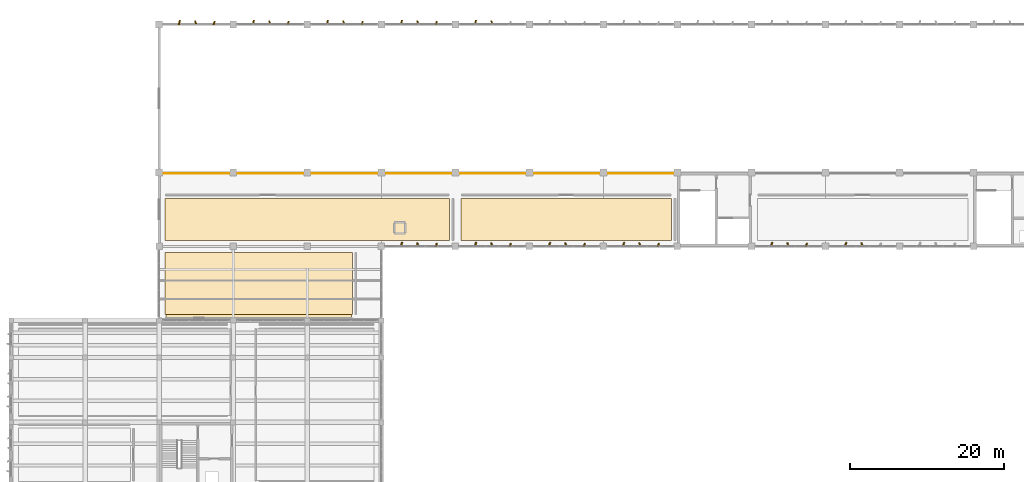
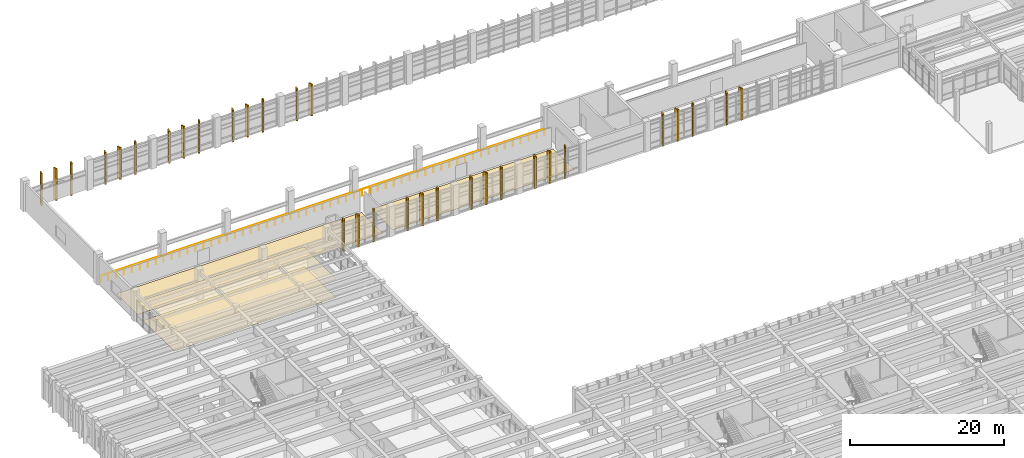
# One storey, part 81 of 86: 35 coverings, 1 railing.
"""IFC4 building model written with IfcOpenShell, lengths in metres."""

from ifc_helpers import new_model, si_unit, direction, frame, origin, origin_2d, place, context, subcontext, project, spatial, polyline, circle, outline, extrude, material, layer, layer_set, type_object, element, save


model = new_model("IFC4")

# Units and contexts
model_context = context("Model", 3, precision=1e-05, world=origin(), true_north=direction((0.0, 1.0)))
body_context = subcontext(model_context, "Body", "Model", "MODEL_VIEW")
ifc_project = project(units=[si_unit("LENGTHUNIT", "METRE"), si_unit("AREAUNIT", "SQUARE_METRE"), si_unit("VOLUMEUNIT", "CUBIC_METRE"), si_unit("PLANEANGLEUNIT", "RADIAN"), si_unit("MASSUNIT", "GRAM", prefix="KILO")], contexts=[model_context])

# Site, building, storey
site_placement = place(None, origin())
site = spatial("IfcSite", under=ifc_project, at=site_placement, CompositionType="ELEMENT")
building_placement = place(site_placement, origin())
building = spatial("IfcBuilding", under=site, at=building_placement, Name="Kolvemor Railside Polytechnic", CompositionType="ELEMENT")
storey_placement = place(building_placement, frame((0.0, 0.0, 5.39990234375)))
storey = spatial("IfcBuildingStorey", under=building, at=storey_placement, Name="L01", CompositionType="ELEMENT", Elevation=5.39990234375)

# Coverings
ifc_material_1 = material(Name="Perforated acoustic mineral-fibre and timber-slat ceiling", Category="wood")
ifc_layer_1 = layer(ifc_material_1, 0.02490234375, Name="COV-CEIL-1")
ifc_layer_set_1 = layer_set([ifc_layer_1], Name="Perforated acoustic mineral-fibre and timber-slat ceiling")
covering_type_1 = type_object("IfcCoveringType", Name="COV-CEIL-1", PredefinedType="CEILING", material=ifc_layer_set_1)
covering_1_placement = place(storey_placement, frame((0.0, 0.0, 3.235107421875)))
element("IfcCovering", 1, at=covering_1_placement, inside=storey, type_object=covering_type_1, Name="Geotechnical Mechanics Laboratory Acoustic Ceiling", PredefinedType="CEILING", context=body_context, shape_type="SweptSolid", body=[
    extrude(outline(polyline([(20.080078125, 81.919921875), (44.1201171875, 81.919921875), (44.1201171875, 90.449951171875), (20.080078125, 90.449951171875), (20.080078125, 81.919921875)])), origin(), (0.0, 0.0, 1.0), 0.02490234375),
])
ifc_material_2 = material(Name="Champagne-bronze PVDF-anodised marine aluminium 5052-H32", Category="aluminium")
ifc_layer_2 = layer(ifc_material_2, 0.179931640625, Name="COV-FIN-CHAMP")
ifc_layer_set_2 = layer_set([ifc_layer_2], Name="Champagne-bronze PVDF-anodised marine aluminium 5052-H32")
covering_type_2 = type_object("IfcCoveringType", Name="COV-FIN-CHAMP", PredefinedType="CLADDING", material=ifc_layer_set_2)
covering_2_placement = place(storey_placement, frame((0.0, 0.0, -0.27978515625)))
element("IfcCovering", 2, at=covering_2_placement, inside=storey, type_object=covering_type_2, Name="Pleated Solar Fin L01-0013", PredefinedType="CLADDING", context=body_context, shape_type="SweptSolid", body=[
    extrude(outline(polyline([(50.43505859375, 91.1650390625), (50.6650390625, 91.1650390625), (50.77001953125, 91.764892578125), (50.610107421875, 91.764892578125), (50.43505859375, 91.1650390625)])), origin(), (0.0, 0.0, 1.0), 5.079833984375),
])
covering_3_placement = place(storey_placement, frame((0.0, 0.0, -0.27978515625)))
element("IfcCovering", 3, at=covering_3_placement, inside=storey, type_object=covering_type_2, Name="Pleated Solar Fin L01-0014", PredefinedType="CLADDING", context=body_context, shape_type="SweptSolid", body=[
    extrude(outline(polyline([(52.68505859375, 91.1650390625), (52.9150390625, 91.1650390625), (52.739990234375, 91.68505859375), (52.580078125, 91.68505859375), (52.68505859375, 91.1650390625)])), origin(), (0.0, 0.0, 1.0), 5.079833984375),
])
covering_4_placement = place(storey_placement, frame((0.0, 0.0, -0.27978515625)))
element("IfcCovering", 4, at=covering_4_placement, inside=storey, type_object=covering_type_2, Name="Pleated Solar Fin L01-0015", PredefinedType="CLADDING", context=body_context, shape_type="SweptSolid", body=[
    extrude(outline(polyline([(54.93505859375, 91.1650390625), (55.1650390625, 91.1650390625), (55.27001953125, 91.60498046875), (55.110107421875, 91.60498046875), (54.93505859375, 91.1650390625)])), origin(), (0.0, 0.0, 1.0), 5.079833984375),
])
covering_5_placement = place(storey_placement, frame((0.0, 0.0, -0.27978515625)))
element("IfcCovering", 5, at=covering_5_placement, inside=storey, type_object=covering_type_2, Name="Pleated Solar Fin L01-0019", PredefinedType="CLADDING", context=body_context, shape_type="SweptSolid", body=[
    extrude(outline(polyline([(60.034912109375, 91.1650390625), (60.264892578125, 91.1650390625), (60.3701171875, 91.764892578125), (60.2099609375, 91.764892578125), (60.034912109375, 91.1650390625)])), origin(), (0.0, 0.0, 1.0), 5.079833984375),
])
covering_6_placement = place(storey_placement, frame((0.0, 0.0, -0.27978515625)))
element("IfcCovering", 6, at=covering_6_placement, inside=storey, type_object=covering_type_2, Name="Pleated Solar Fin L01-0020", PredefinedType="CLADDING", context=body_context, shape_type="SweptSolid", body=[
    extrude(outline(polyline([(62.284912109375, 91.1650390625), (62.514892578125, 91.1650390625), (62.340087890625, 91.68505859375), (62.179931640625, 91.68505859375), (62.284912109375, 91.1650390625)])), origin(), (0.0, 0.0, 1.0), 5.079833984375),
])
covering_7_placement = place(storey_placement, frame((0.0, 0.0, -0.27978515625)))
element("IfcCovering", 7, at=covering_7_placement, inside=storey, type_object=covering_type_2, Name="Pleated Solar Fin L01-0021", PredefinedType="CLADDING", context=body_context, shape_type="SweptSolid", body=[
    extrude(outline(polyline([(64.534912109375, 91.1650390625), (64.764892578125, 91.1650390625), (64.8701171875, 91.60498046875), (64.7099609375, 91.60498046875), (64.534912109375, 91.1650390625)])), origin(), (0.0, 0.0, 1.0), 5.079833984375),
])
covering_8_placement = place(storey_placement, frame((0.0, 0.0, -0.27978515625)))
element("IfcCovering", 8, at=covering_8_placement, inside=storey, type_object=covering_type_2, Name="Pleated Solar Fin L01-0025", PredefinedType="CLADDING", context=body_context, shape_type="SweptSolid", body=[
    extrude(outline(polyline([(69.635009765625, 91.1650390625), (69.864990234375, 91.1650390625), (69.969970703125, 91.764892578125), (69.81005859375, 91.764892578125), (69.635009765625, 91.1650390625)])), origin(), (0.0, 0.0, 1.0), 5.079833984375),
])
covering_9_placement = place(storey_placement, frame((0.0, 0.0, -0.27978515625)))
element("IfcCovering", 9, at=covering_9_placement, inside=storey, type_object=covering_type_2, Name="Pleated Solar Fin L01-0026", PredefinedType="CLADDING", context=body_context, shape_type="SweptSolid", body=[
    extrude(outline(polyline([(71.885009765625, 91.1650390625), (72.114990234375, 91.1650390625), (71.93994140625, 91.68505859375), (71.780029296875, 91.68505859375), (71.885009765625, 91.1650390625)])), origin(), (0.0, 0.0, 1.0), 5.079833984375),
])
covering_10_placement = place(storey_placement, frame((0.0, 0.0, -0.27978515625)))
element("IfcCovering", 10, at=covering_10_placement, inside=storey, type_object=covering_type_2, Name="Pleated Solar Fin L01-0027", PredefinedType="CLADDING", context=body_context, shape_type="SweptSolid", body=[
    extrude(outline(polyline([(74.135009765625, 91.1650390625), (74.364990234375, 91.1650390625), (74.469970703125, 91.60498046875), (74.31005859375, 91.60498046875), (74.135009765625, 91.1650390625)])), origin(), (0.0, 0.0, 1.0), 5.079833984375),
])
covering_11_placement = place(storey_placement, frame((0.0, 0.0, -0.27978515625)))
element("IfcCovering", 11, at=covering_11_placement, inside=storey, type_object=covering_type_2, Name="Pleated Solar Fin L01-0031", PredefinedType="CLADDING", context=body_context, shape_type="SweptSolid", body=[
    extrude(outline(polyline([(79.235107421875, 91.1650390625), (79.465087890625, 91.1650390625), (79.570068359375, 91.764892578125), (79.409912109375, 91.764892578125), (79.235107421875, 91.1650390625)])), origin(), (0.0, 0.0, 1.0), 5.079833984375),
])
covering_12_placement = place(storey_placement, frame((0.0, 0.0, -0.27978515625)))
element("IfcCovering", 12, at=covering_12_placement, inside=storey, type_object=covering_type_2, Name="Pleated Solar Fin L01-0032", PredefinedType="CLADDING", context=body_context, shape_type="SweptSolid", body=[
    extrude(outline(polyline([(81.485107421875, 91.1650390625), (81.715087890625, 91.1650390625), (81.5400390625, 91.68505859375), (81.3798828125, 91.68505859375), (81.485107421875, 91.1650390625)])), origin(), (0.0, 0.0, 1.0), 5.079833984375),
])
covering_13_placement = place(storey_placement, frame((0.0, 0.0, -0.27978515625)))
element("IfcCovering", 13, at=covering_13_placement, inside=storey, type_object=covering_type_2, Name="Pleated Solar Fin L01-0033", PredefinedType="CLADDING", context=body_context, shape_type="SweptSolid", body=[
    extrude(outline(polyline([(83.735107421875, 91.1650390625), (83.965087890625, 91.1650390625), (84.070068359375, 91.60498046875), (83.909912109375, 91.60498046875), (83.735107421875, 91.1650390625)])), origin(), (0.0, 0.0, 1.0), 5.079833984375),
])
covering_14_placement = place(storey_placement, frame((0.0, 0.0, -0.27978515625)))
element("IfcCovering", 14, at=covering_14_placement, inside=storey, type_object=covering_type_2, Name="Pleated Solar Fin L01-0040", PredefinedType="CLADDING", context=body_context, shape_type="SweptSolid", body=[
    extrude(outline(polyline([(98.43505859375, 91.1650390625), (98.6650390625, 91.1650390625), (98.77001953125, 91.764892578125), (98.610107421875, 91.764892578125), (98.43505859375, 91.1650390625)])), origin(), (0.0, 0.0, 1.0), 5.079833984375),
])
covering_15_placement = place(storey_placement, frame((0.0, 0.0, -0.27978515625)))
element("IfcCovering", 15, at=covering_15_placement, inside=storey, type_object=covering_type_2, Name="Pleated Solar Fin L01-0041", PredefinedType="CLADDING", context=body_context, shape_type="SweptSolid", body=[
    extrude(outline(polyline([(100.68505859375, 91.1650390625), (100.9150390625, 91.1650390625), (100.739990234375, 91.68505859375), (100.580078125, 91.68505859375), (100.68505859375, 91.1650390625)])), origin(), (0.0, 0.0, 1.0), 5.079833984375),
])
covering_16_placement = place(storey_placement, frame((0.0, 0.0, -0.27978515625)))
element("IfcCovering", 16, at=covering_16_placement, inside=storey, type_object=covering_type_2, Name="Pleated Solar Fin L01-0042", PredefinedType="CLADDING", context=body_context, shape_type="SweptSolid", body=[
    extrude(outline(polyline([(102.93505859375, 91.1650390625), (103.1650390625, 91.1650390625), (103.27001953125, 91.60498046875), (103.110107421875, 91.60498046875), (102.93505859375, 91.1650390625)])), origin(), (0.0, 0.0, 1.0), 5.079833984375),
])
covering_17_placement = place(storey_placement, frame((0.0, 0.0, -0.27978515625)))
element("IfcCovering", 17, at=covering_17_placement, inside=storey, type_object=covering_type_2, Name="Pleated Solar Fin L01-0046", PredefinedType="CLADDING", context=body_context, shape_type="SweptSolid", body=[
    extrude(outline(polyline([(108.034912109375, 91.1650390625), (108.264892578125, 91.1650390625), (108.3701171875, 91.764892578125), (108.2099609375, 91.764892578125), (108.034912109375, 91.1650390625)])), origin(), (0.0, 0.0, 1.0), 5.079833984375),
])
covering_18_placement = place(storey_placement, frame((0.0, 0.0, -0.27978515625)))
element("IfcCovering", 18, at=covering_18_placement, inside=storey, type_object=covering_type_2, Name="Pleated Solar Fin L01-0047", PredefinedType="CLADDING", context=body_context, shape_type="SweptSolid", body=[
    extrude(outline(polyline([(110.284912109375, 91.1650390625), (110.514892578125, 91.1650390625), (110.340087890625, 91.68505859375), (110.179931640625, 91.68505859375), (110.284912109375, 91.1650390625)])), origin(), (0.0, 0.0, 1.0), 5.079833984375),
])
ifc_material_3 = material(Name="Sea-mist PVDF-anodised marine aluminium 5052-H32", Category="aluminium")
ifc_layer_3 = layer(ifc_material_3, 0.159912109375, Name="COV-FIN-MIST")
ifc_layer_set_3 = layer_set([ifc_layer_3], Name="Sea-mist PVDF-anodised marine aluminium 5052-H32")
covering_type_3 = type_object("IfcCoveringType", Name="COV-FIN-MIST", PredefinedType="CLADDING", material=ifc_layer_set_3)
covering_19_placement = place(storey_placement, frame((0.0, 0.0, -0.27978515625)))
element("IfcCovering", 19, at=covering_19_placement, inside=storey, type_object=covering_type_3, Name="Pleated Solar Fin L01-0001", PredefinedType="CLADDING", context=body_context, shape_type="SweptSolid", body=[
    extrude(outline(polyline([(21.635009765625, 119.965087890625), (21.864990234375, 119.965087890625), (21.969970703125, 120.56494140625), (21.81005859375, 120.56494140625), (21.635009765625, 119.965087890625)])), origin(), (0.0, 0.0, 1.0), 5.079833984375),
])
covering_20_placement = place(storey_placement, frame((0.0, 0.0, -0.27978515625)))
element("IfcCovering", 20, at=covering_20_placement, inside=storey, type_object=covering_type_3, Name="Pleated Solar Fin L01-0002", PredefinedType="CLADDING", context=body_context, shape_type="SweptSolid", body=[
    extrude(outline(polyline([(23.885009765625, 119.965087890625), (24.114990234375, 119.965087890625), (23.93994140625, 120.485107421875), (23.780029296875, 120.485107421875), (23.885009765625, 119.965087890625)])), origin(), (0.0, 0.0, 1.0), 5.079833984375),
])
covering_21_placement = place(storey_placement, frame((0.0, 0.0, -0.27978515625)))
element("IfcCovering", 21, at=covering_21_placement, inside=storey, type_object=covering_type_3, Name="Pleated Solar Fin L01-0003", PredefinedType="CLADDING", context=body_context, shape_type="SweptSolid", body=[
    extrude(outline(polyline([(26.135009765625, 119.965087890625), (26.364990234375, 119.965087890625), (26.469970703125, 120.405029296875), (26.31005859375, 120.405029296875), (26.135009765625, 119.965087890625)])), origin(), (0.0, 0.0, 1.0), 5.079833984375),
])
covering_22_placement = place(storey_placement, frame((0.0, 0.0, -0.27978515625)))
element("IfcCovering", 22, at=covering_22_placement, inside=storey, type_object=covering_type_3, Name="Pleated Solar Fin L01-0004", PredefinedType="CLADDING", context=body_context, shape_type="SweptSolid", body=[
    extrude(outline(polyline([(31.235107421875, 119.965087890625), (31.465087890625, 119.965087890625), (31.570068359375, 120.56494140625), (31.409912109375, 120.56494140625), (31.235107421875, 119.965087890625)])), origin(), (0.0, 0.0, 1.0), 5.079833984375),
])
covering_23_placement = place(storey_placement, frame((0.0, 0.0, -0.27978515625)))
element("IfcCovering", 23, at=covering_23_placement, inside=storey, type_object=covering_type_3, Name="Pleated Solar Fin L01-0005", PredefinedType="CLADDING", context=body_context, shape_type="SweptSolid", body=[
    extrude(outline(polyline([(33.485107421875, 119.965087890625), (33.715087890625, 119.965087890625), (33.5400390625, 120.485107421875), (33.3798828125, 120.485107421875), (33.485107421875, 119.965087890625)])), origin(), (0.0, 0.0, 1.0), 5.079833984375),
])
covering_24_placement = place(storey_placement, frame((0.0, 0.0, -0.27978515625)))
element("IfcCovering", 24, at=covering_24_placement, inside=storey, type_object=covering_type_3, Name="Pleated Solar Fin L01-0006", PredefinedType="CLADDING", context=body_context, shape_type="SweptSolid", body=[
    extrude(outline(polyline([(35.735107421875, 119.965087890625), (35.965087890625, 119.965087890625), (36.070068359375, 120.405029296875), (35.909912109375, 120.405029296875), (35.735107421875, 119.965087890625)])), origin(), (0.0, 0.0, 1.0), 5.079833984375),
])
covering_25_placement = place(storey_placement, frame((0.0, 0.0, -0.27978515625)))
element("IfcCovering", 25, at=covering_25_placement, inside=storey, type_object=covering_type_3, Name="Pleated Solar Fin L01-0007", PredefinedType="CLADDING", context=body_context, shape_type="SweptSolid", body=[
    extrude(outline(polyline([(40.8349609375, 119.965087890625), (41.06494140625, 119.965087890625), (41.169921875, 120.56494140625), (41.010009765625, 120.56494140625), (40.8349609375, 119.965087890625)])), origin(), (0.0, 0.0, 1.0), 5.079833984375),
])
covering_26_placement = place(storey_placement, frame((0.0, 0.0, -0.27978515625)))
element("IfcCovering", 26, at=covering_26_placement, inside=storey, type_object=covering_type_3, Name="Pleated Solar Fin L01-0008", PredefinedType="CLADDING", context=body_context, shape_type="SweptSolid", body=[
    extrude(outline(polyline([(43.0849609375, 119.965087890625), (43.31494140625, 119.965087890625), (43.139892578125, 120.485107421875), (42.97998046875, 120.485107421875), (43.0849609375, 119.965087890625)])), origin(), (0.0, 0.0, 1.0), 5.079833984375),
])
covering_27_placement = place(storey_placement, frame((0.0, 0.0, -0.27978515625)))
element("IfcCovering", 27, at=covering_27_placement, inside=storey, type_object=covering_type_3, Name="Pleated Solar Fin L01-0009", PredefinedType="CLADDING", context=body_context, shape_type="SweptSolid", body=[
    extrude(outline(polyline([(45.3349609375, 119.965087890625), (45.56494140625, 119.965087890625), (45.669921875, 120.405029296875), (45.510009765625, 120.405029296875), (45.3349609375, 119.965087890625)])), origin(), (0.0, 0.0, 1.0), 5.079833984375),
])
covering_28_placement = place(storey_placement, frame((0.0, 0.0, -0.27978515625)))
element("IfcCovering", 28, at=covering_28_placement, inside=storey, type_object=covering_type_3, Name="Pleated Solar Fin L01-0010", PredefinedType="CLADDING", context=body_context, shape_type="SweptSolid", body=[
    extrude(outline(polyline([(50.43505859375, 119.965087890625), (50.6650390625, 119.965087890625), (50.77001953125, 120.56494140625), (50.610107421875, 120.56494140625), (50.43505859375, 119.965087890625)])), origin(), (0.0, 0.0, 1.0), 5.079833984375),
])
covering_29_placement = place(storey_placement, frame((0.0, 0.0, -0.27978515625)))
element("IfcCovering", 29, at=covering_29_placement, inside=storey, type_object=covering_type_3, Name="Pleated Solar Fin L01-0011", PredefinedType="CLADDING", context=body_context, shape_type="SweptSolid", body=[
    extrude(outline(polyline([(52.68505859375, 119.965087890625), (52.9150390625, 119.965087890625), (52.739990234375, 120.485107421875), (52.580078125, 120.485107421875), (52.68505859375, 119.965087890625)])), origin(), (0.0, 0.0, 1.0), 5.079833984375),
])
covering_30_placement = place(storey_placement, frame((0.0, 0.0, -0.27978515625)))
element("IfcCovering", 30, at=covering_30_placement, inside=storey, type_object=covering_type_3, Name="Pleated Solar Fin L01-0012", PredefinedType="CLADDING", context=body_context, shape_type="SweptSolid", body=[
    extrude(outline(polyline([(54.93505859375, 119.965087890625), (55.1650390625, 119.965087890625), (55.27001953125, 120.405029296875), (55.110107421875, 120.405029296875), (54.93505859375, 119.965087890625)])), origin(), (0.0, 0.0, 1.0), 5.079833984375),
])
covering_31_placement = place(storey_placement, frame((0.0, 0.0, -0.27978515625)))
element("IfcCovering", 31, at=covering_31_placement, inside=storey, type_object=covering_type_3, Name="Pleated Solar Fin L01-0016", PredefinedType="CLADDING", context=body_context, shape_type="SweptSolid", body=[
    extrude(outline(polyline([(60.034912109375, 119.965087890625), (60.264892578125, 119.965087890625), (60.3701171875, 120.56494140625), (60.2099609375, 120.56494140625), (60.034912109375, 119.965087890625)])), origin(), (0.0, 0.0, 1.0), 5.079833984375),
])
covering_32_placement = place(storey_placement, frame((0.0, 0.0, -0.27978515625)))
element("IfcCovering", 32, at=covering_32_placement, inside=storey, type_object=covering_type_3, Name="Pleated Solar Fin L01-0017", PredefinedType="CLADDING", context=body_context, shape_type="SweptSolid", body=[
    extrude(outline(polyline([(62.284912109375, 119.965087890625), (62.514892578125, 119.965087890625), (62.340087890625, 120.485107421875), (62.179931640625, 120.485107421875), (62.284912109375, 119.965087890625)])), origin(), (0.0, 0.0, 1.0), 5.079833984375),
])
ifc_material_4 = material(Name="Polished coral-aggregate terrazzo and laboratory epoxy flooring")
ifc_layer_4 = layer(ifc_material_4, 0.02001953125, Name="COV-FLR-1")
ifc_layer_set_4 = layer_set([ifc_layer_4], Name="Polished coral-aggregate terrazzo and laboratory epoxy flooring")
covering_type_4 = type_object("IfcCoveringType", Name="COV-FLR-1", PredefinedType="FLOORING", material=ifc_layer_set_4)
covering_33_placement = place(storey_placement, origin())
element("IfcCovering", 33, at=covering_33_placement, inside=storey, type_object=covering_type_4, Name="Additive Manufacturing Engineering Workshop Floor Finish", PredefinedType="FLOORING", context=body_context, shape_type="SweptSolid", body=[
    extrude(outline(polyline([(19.949951171875, 91.949951171875), (56.85009765625, 91.949951171875), (56.85009765625, 97.449951171875), (19.949951171875, 97.449951171875), (19.949951171875, 91.949951171875)])), origin(), (0.0, 0.0, 1.0), 0.02001953125),
])
covering_34_placement = place(storey_placement, origin())
element("IfcCovering", 34, at=covering_34_placement, inside=storey, type_object=covering_type_4, Name="Geotechnical Mechanics Laboratory Floor Finish", PredefinedType="FLOORING", context=body_context, shape_type="SweptSolid", body=[
    extrude(outline(polyline([(19.949951171875, 82.35009765625), (44.25, 82.35009765625), (44.25, 90.449951171875), (19.949951171875, 90.449951171875), (19.949951171875, 82.35009765625)])), origin(), (0.0, 0.0, 1.0), 0.02001953125),
])
ifc_material_5 = material(Name="Polished coral-aggregate terrazzo and laboratory epoxy flooring")
ifc_layer_5 = layer(ifc_material_5, 0.02490234375, Name="COV-FLR-2")
ifc_layer_set_5 = layer_set([ifc_layer_5], Name="Polished coral-aggregate terrazzo and laboratory epoxy flooring")
covering_type_5 = type_object("IfcCoveringType", Name="COV-FLR-2", PredefinedType="FLOORING", material=ifc_layer_set_5)
covering_35_placement = place(storey_placement, origin())
element("IfcCovering", 35, at=covering_35_placement, inside=storey, type_object=covering_type_5, Name="CNC Precision Tooling Engineering Workshop Floor Finish", PredefinedType="FLOORING", context=body_context, shape_type="SweptSolid", body=[
    extrude(outline(polyline([(58.35009765625, 91.949951171875), (85.64990234375, 91.949951171875), (85.64990234375, 97.449951171875), (58.35009765625, 97.449951171875), (58.35009765625, 91.949951171875)])), origin(), (0.0, 0.0, 1.0), 0.025146484375),
])

# Railing
ifc_material_6 = material(Name="AISI 316 marine stainless-steel balustrade guard", Category="steel")
railing_type = type_object("IfcRailingType", Name="RLG-GUARD-1120", PredefinedType="BALUSTRADE", material=ifc_material_6)
railing_placement = place(storey_placement, frame((19.39990234375, 100.64990234375, 0.0)))
element("IfcRailing", 36, at=railing_placement, inside=storey, type_object=railing_type, Name="Crane Gallery West Guard GR-065", PredefinedType="BALUSTRADE", context=body_context, shape_type="SweptSolid", body=[
    extrude(circle(Radius=0.02392578125, at=origin_2d()), frame((0.054931640625, 0.0, 1.09619140625), z_axis=(1.0, 0.0, 0.0), x_axis=(0.0, 1.0, 0.0)), (0.0, 0.0, 1.0), 66.68994140625),
    extrude(circle(Radius=0.02099609375, at=origin_2d()), origin(), (0.0, 0.0, 1.0), 1.05712890625),
    extrude(circle(Radius=0.02099609375, at=origin_2d()), frame((1.19287109375, 0.0, 0.0)), (0.0, 0.0, 1.0), 1.05712890625),
    extrude(circle(Radius=0.02099609375, at=origin_2d()), frame((2.3857421875, 0.0, 0.0)), (0.0, 0.0, 1.0), 1.05712890625),
    extrude(circle(Radius=0.02099609375, at=origin_2d()), frame((3.57861328125, 0.0, 0.0)), (0.0, 0.0, 1.0), 1.05712890625),
    extrude(circle(Radius=0.02099609375, at=origin_2d()), frame((4.771484375, 0.0, 0.0)), (0.0, 0.0, 1.0), 1.05712890625),
    extrude(circle(Radius=0.02099609375, at=origin_2d()), frame((5.96435546875, 0.0, 0.0)), (0.0, 0.0, 1.0), 1.05712890625),
    extrude(circle(Radius=0.02099609375, at=origin_2d()), frame((7.1572265625, 0.0, 0.0)), (0.0, 0.0, 1.0), 1.05712890625),
    extrude(circle(Radius=0.02099609375, at=origin_2d()), frame((8.35009765625, 0.0, 0.0)), (0.0, 0.0, 1.0), 1.05712890625),
    extrude(circle(Radius=0.02099609375, at=origin_2d()), frame((9.54296875, 0.0, 0.0)), (0.0, 0.0, 1.0), 1.05712890625),
    extrude(circle(Radius=0.02099609375, at=origin_2d()), frame((10.73583984375, 0.0, 0.0)), (0.0, 0.0, 1.0), 1.05712890625),
    extrude(circle(Radius=0.02099609375, at=origin_2d()), frame((11.928466796875, 0.0, 0.0)), (0.0, 0.0, 1.0), 1.05712890625),
    extrude(circle(Radius=0.02099609375, at=origin_2d()), frame((13.121337890625, 0.0, 0.0)), (0.0, 0.0, 1.0), 1.05712890625),
    extrude(circle(Radius=0.02099609375, at=origin_2d()), frame((14.314208984375, 0.0, 0.0)), (0.0, 0.0, 1.0), 1.05712890625),
    extrude(circle(Radius=0.02099609375, at=origin_2d()), frame((15.507080078125, 0.0, 0.0)), (0.0, 0.0, 1.0), 1.05712890625),
    extrude(circle(Radius=0.02099609375, at=origin_2d()), frame((16.699951171875, 0.0, 0.0)), (0.0, 0.0, 1.0), 1.05712890625),
    extrude(circle(Radius=0.02099609375, at=origin_2d()), frame((17.892822265625, 0.0, 0.0)), (0.0, 0.0, 1.0), 1.05712890625),
    extrude(circle(Radius=0.02099609375, at=origin_2d()), frame((19.085693359375, 0.0, 0.0)), (0.0, 0.0, 1.0), 1.05712890625),
    extrude(circle(Radius=0.02099609375, at=origin_2d()), frame((20.278564453125, 0.0, 0.0)), (0.0, 0.0, 1.0), 1.05712890625),
    extrude(circle(Radius=0.02099609375, at=origin_2d()), frame((21.471435546875, 0.0, 0.0)), (0.0, 0.0, 1.0), 1.05712890625),
    extrude(circle(Radius=0.02099609375, at=origin_2d()), frame((22.664306640625, 0.0, 0.0)), (0.0, 0.0, 1.0), 1.05712890625),
    extrude(circle(Radius=0.02099609375, at=origin_2d()), frame((23.857177734375, 0.0, 0.0)), (0.0, 0.0, 1.0), 1.05712890625),
    extrude(circle(Radius=0.02099609375, at=origin_2d()), frame((25.050048828125, 0.0, 0.0)), (0.0, 0.0, 1.0), 1.05712890625),
    extrude(circle(Radius=0.02099609375, at=origin_2d()), frame((26.242919921875, 0.0, 0.0)), (0.0, 0.0, 1.0), 1.05712890625),
    extrude(circle(Radius=0.02099609375, at=origin_2d()), frame((27.435791015625, 0.0, 0.0)), (0.0, 0.0, 1.0), 1.05712890625),
    extrude(circle(Radius=0.02099609375, at=origin_2d()), frame((28.628662109375, 0.0, 0.0)), (0.0, 0.0, 1.0), 1.05712890625),
    extrude(circle(Radius=0.02099609375, at=origin_2d()), frame((29.821533203125, 0.0, 0.0)), (0.0, 0.0, 1.0), 1.05712890625),
    extrude(circle(Radius=0.02099609375, at=origin_2d()), frame((31.014404296875, 0.0, 0.0)), (0.0, 0.0, 1.0), 1.05712890625),
    extrude(circle(Radius=0.02099609375, at=origin_2d()), frame((32.207275390625, 0.0, 0.0)), (0.0, 0.0, 1.0), 1.05712890625),
    extrude(circle(Radius=0.02099609375, at=origin_2d()), frame((33.39990234375, 0.0, 0.0)), (0.0, 0.0, 1.0), 1.05712890625),
    extrude(circle(Radius=0.02099609375, at=origin_2d()), frame((34.5927734375, 0.0, 0.0)), (0.0, 0.0, 1.0), 1.05712890625),
    extrude(circle(Radius=0.02099609375, at=origin_2d()), frame((35.78564453125, 0.0, 0.0)), (0.0, 0.0, 1.0), 1.05712890625),
    extrude(circle(Radius=0.02099609375, at=origin_2d()), frame((36.978515625, 0.0, 0.0)), (0.0, 0.0, 1.0), 1.05712890625),
    extrude(circle(Radius=0.02099609375, at=origin_2d()), frame((38.17138671875, 0.0, 0.0)), (0.0, 0.0, 1.0), 1.05712890625),
    extrude(circle(Radius=0.02099609375, at=origin_2d()), frame((39.3642578125, 0.0, 0.0)), (0.0, 0.0, 1.0), 1.05712890625),
    extrude(circle(Radius=0.02099609375, at=origin_2d()), frame((40.55712890625, 0.0, 0.0)), (0.0, 0.0, 1.0), 1.05712890625),
    extrude(circle(Radius=0.02099609375, at=origin_2d()), frame((41.75, 0.0, 0.0)), (0.0, 0.0, 1.0), 1.05712890625),
    extrude(circle(Radius=0.02099609375, at=origin_2d()), frame((42.94287109375, 0.0, 0.0)), (0.0, 0.0, 1.0), 1.05712890625),
    extrude(circle(Radius=0.02099609375, at=origin_2d()), frame((44.1357421875, 0.0, 0.0)), (0.0, 0.0, 1.0), 1.05712890625),
    extrude(circle(Radius=0.02099609375, at=origin_2d()), frame((45.32861328125, 0.0, 0.0)), (0.0, 0.0, 1.0), 1.05712890625),
    extrude(circle(Radius=0.02099609375, at=origin_2d()), frame((46.521484375, 0.0, 0.0)), (0.0, 0.0, 1.0), 1.05712890625),
    extrude(circle(Radius=0.02099609375, at=origin_2d()), frame((47.71435546875, 0.0, 0.0)), (0.0, 0.0, 1.0), 1.05712890625),
    extrude(circle(Radius=0.02099609375, at=origin_2d()), frame((48.9072265625, 0.0, 0.0)), (0.0, 0.0, 1.0), 1.05712890625),
    extrude(circle(Radius=0.02099609375, at=origin_2d()), frame((50.10009765625, 0.0, 0.0)), (0.0, 0.0, 1.0), 1.05712890625),
    extrude(circle(Radius=0.02099609375, at=origin_2d()), frame((51.29296875, 0.0, 0.0)), (0.0, 0.0, 1.0), 1.05712890625),
    extrude(circle(Radius=0.02099609375, at=origin_2d()), frame((52.48583984375, 0.0, 0.0)), (0.0, 0.0, 1.0), 1.05712890625),
    extrude(circle(Radius=0.02099609375, at=origin_2d()), frame((53.6787109375, 0.0, 0.0)), (0.0, 0.0, 1.0), 1.05712890625),
    extrude(circle(Radius=0.02099609375, at=origin_2d()), frame((54.87158203125, 0.0, 0.0)), (0.0, 0.0, 1.0), 1.05712890625),
    extrude(circle(Radius=0.02099609375, at=origin_2d()), frame((56.064208984375, 0.0, 0.0)), (0.0, 0.0, 1.0), 1.05712890625),
    extrude(circle(Radius=0.02099609375, at=origin_2d()), frame((57.257080078125, 0.0, 0.0)), (0.0, 0.0, 1.0), 1.05712890625),
    extrude(circle(Radius=0.02099609375, at=origin_2d()), frame((58.449951171875, 0.0, 0.0)), (0.0, 0.0, 1.0), 1.05712890625),
    extrude(circle(Radius=0.02099609375, at=origin_2d()), frame((59.642822265625, 0.0, 0.0)), (0.0, 0.0, 1.0), 1.05712890625),
    extrude(circle(Radius=0.02099609375, at=origin_2d()), frame((60.835693359375, 0.0, 0.0)), (0.0, 0.0, 1.0), 1.05712890625),
    extrude(circle(Radius=0.02099609375, at=origin_2d()), frame((62.028564453125, 0.0, 0.0)), (0.0, 0.0, 1.0), 1.05712890625),
    extrude(circle(Radius=0.02099609375, at=origin_2d()), frame((63.221435546875, 0.0, 0.0)), (0.0, 0.0, 1.0), 1.05712890625),
    extrude(circle(Radius=0.02099609375, at=origin_2d()), frame((64.414306640625, 0.0, 0.0)), (0.0, 0.0, 1.0), 1.05712890625),
    extrude(circle(Radius=0.02099609375, at=origin_2d()), frame((65.607177734375, 0.0, 0.0)), (0.0, 0.0, 1.0), 1.05712890625),
    extrude(circle(Radius=0.02099609375, at=origin_2d()), frame((66.800048828125, 0.0, 0.0)), (0.0, 0.0, 1.0), 1.05712890625),
])

save(model, "model.ifc")
